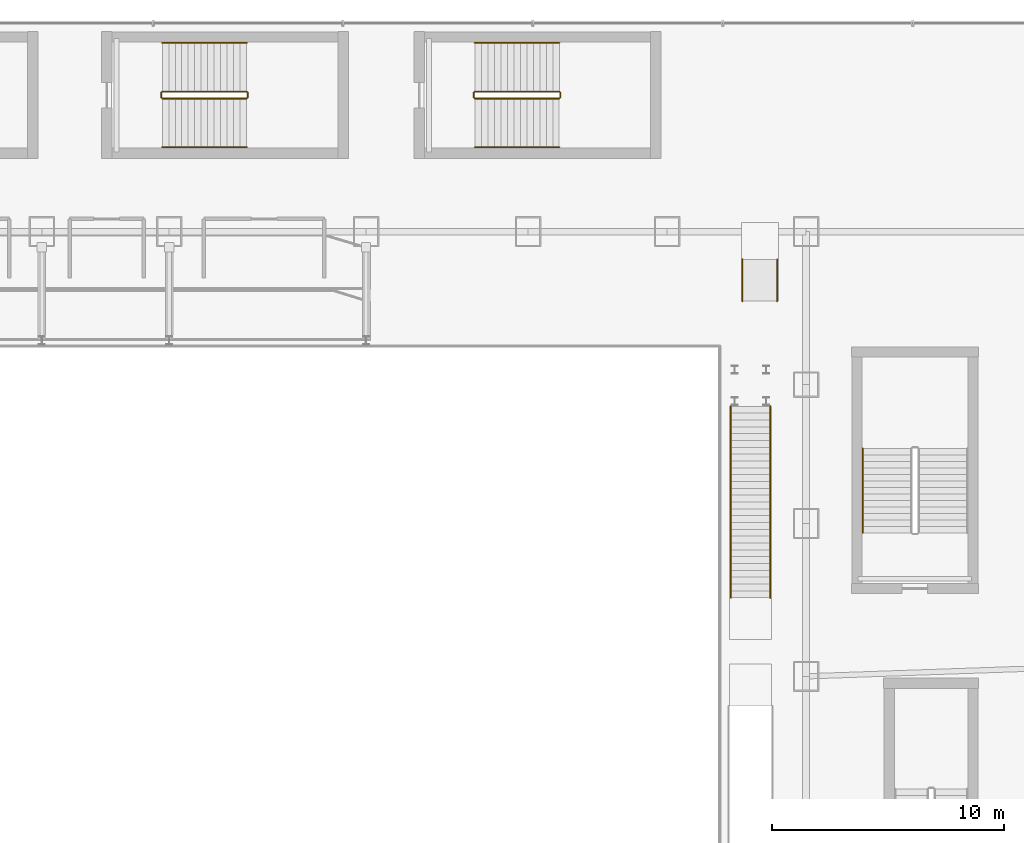
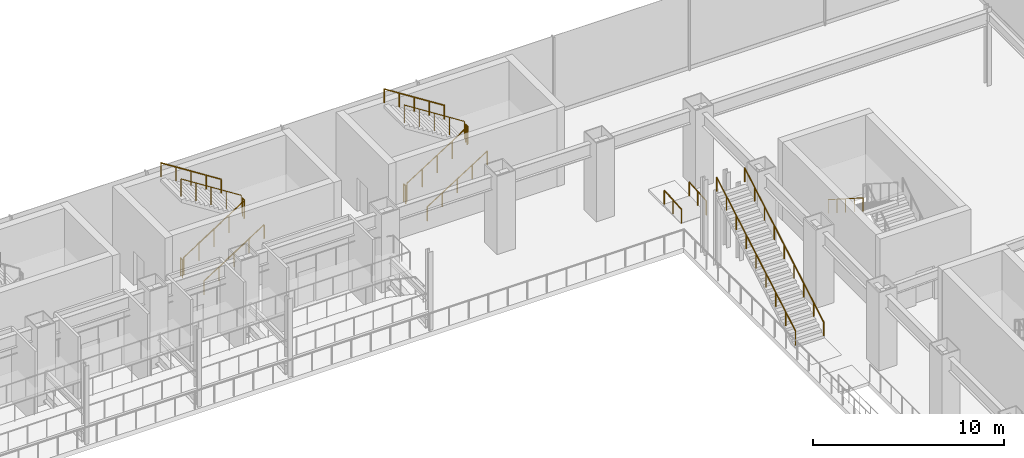
# One storey, part 38 of 40: 17 railings.
"""IFC4 building model written with IfcOpenShell, lengths in metres."""

from ifc_helpers import new_model, si_unit, derived_unit, direction, frame, origin, origin_2d, place, context, subcontext, project, spatial, circle, extrude, material, type_object, element, save


model = new_model("IFC4")

# Units and contexts
model_context = context("Model", 3, precision=1e-05, world=origin(), true_north=direction((0.0, 1.0)))
body_context = subcontext(model_context, "Body", "Model", "MODEL_VIEW")
ifc_project = project(units=[si_unit("LENGTHUNIT", "METRE"), si_unit("AREAUNIT", "SQUARE_METRE"), si_unit("VOLUMEUNIT", "CUBIC_METRE"), si_unit("PLANEANGLEUNIT", "RADIAN"), si_unit("MASSUNIT", "GRAM", prefix="KILO"), derived_unit("THERMALTRANSMITTANCEUNIT", [(si_unit("POWERUNIT", "WATT"), 1), (si_unit("LENGTHUNIT", "METRE"), -2), (si_unit("THERMODYNAMICTEMPERATUREUNIT", "KELVIN"), -1)])], contexts=[model_context])

# Site, building, storey
site_placement = place(None, origin())
site = spatial("IfcSite", under=ifc_project, at=site_placement, CompositionType="ELEMENT")
building_placement = place(site_placement, origin())
building = spatial("IfcBuilding", under=site, at=building_placement, Name="Skarnbrae Concourse Arena and Tower", CompositionType="ELEMENT")
storey_placement = place(building_placement, frame((0.0, 0.0, 6.0)))
storey = spatial("IfcBuildingStorey", under=building, at=storey_placement, Name="L01", CompositionType="ELEMENT", Elevation=6.0)

# Railings
ifc_material = material(Name="Steel CSA G40.21 350W", Category="steel")
railing_type_1 = type_object("IfcRailingType", Name="RAIL-HANDRAIL-900", PredefinedType="HANDRAIL", material=ifc_material)
railing_1_placement = place(storey_placement, frame((63.449951171875, 37.639892578125, 2.678466796875)))
element("IfcRailing", 1, at=railing_1_placement, inside=storey, type_object=railing_type_1, Name="L01 ST-A4 stair handrail 2", PredefinedType="HANDRAIL", context=body_context, shape_type="SweptSolid", body=[
    extrude(circle(Radius=0.02392578125, at=origin_2d()), frame((0.0, 0.0, 0.8759765625), z_axis=(0.0, -0.843111507901, 0.53773877045), x_axis=(1.0, 0.0, 0.0)), (0.0, 0.0, 1.0), 4.317138671875),
    extrude(circle(Radius=0.02099609375, at=origin_2d()), origin(), (0.0, 0.0, 1.0), 0.851806640625),
    extrude(circle(Radius=0.02099609375, at=origin_2d()), frame((0.0, -0.909912109375, 0.580322265625)), (0.0, 0.0, 1.0), 0.851806640625),
    extrude(circle(Radius=0.02099609375, at=origin_2d()), frame((0.0, -1.81982421875, 1.16064453125)), (0.0, 0.0, 1.0), 0.851806640625),
    extrude(circle(Radius=0.02099609375, at=origin_2d()), frame((0.0, -2.72998046875, 1.7412109375)), (0.0, 0.0, 1.0), 0.851806640625),
    extrude(circle(Radius=0.02099609375, at=origin_2d()), frame((0.0, -3.639892578125, 2.321533203125)), (0.0, 0.0, 1.0), 0.851806640625),
])
railing_2_placement = place(storey_placement, frame((33.199951171875, 50.64990234375, 0.178466796875)))
element("IfcRailing", 2, at=railing_2_placement, inside=storey, type_object=railing_type_1, Name="L01 ST-A7 stair handrail 1", PredefinedType="HANDRAIL", context=body_context, shape_type="SweptSolid", body=[
    extrude(circle(Radius=0.02392578125, at=origin_2d()), frame((0.0, 0.0, 0.8759765625), z_axis=(0.843127859045, 0.0, 0.537713132908), x_axis=(0.0, 1.0, 0.0)), (0.0, 0.0, 1.0), 4.3173828125),
    extrude(circle(Radius=0.02099609375, at=origin_2d()), origin(), (0.0, 0.0, 1.0), 0.851806640625),
    extrude(circle(Radius=0.02099609375, at=origin_2d()), frame((0.91015625, 0.0, 0.580322265625)), (0.0, 0.0, 1.0), 0.851806640625),
    extrude(circle(Radius=0.02099609375, at=origin_2d()), frame((1.820068359375, 0.0, 1.16064453125)), (0.0, 0.0, 1.0), 0.851806640625),
    extrude(circle(Radius=0.02099609375, at=origin_2d()), frame((2.72998046875, 0.0, 1.7412109375)), (0.0, 0.0, 1.0), 0.851806640625),
    extrude(circle(Radius=0.02099609375, at=origin_2d()), frame((3.64013671875, 0.0, 2.321533203125)), (0.0, 0.0, 1.0), 0.851806640625),
])
railing_3_placement = place(storey_placement, frame((36.840087890625, 55.14990234375, 2.678466796875)))
element("IfcRailing", 3, at=railing_3_placement, inside=storey, type_object=railing_type_1, Name="L01 ST-A7 stair handrail 2", PredefinedType="HANDRAIL", context=body_context, shape_type="SweptSolid", body=[
    extrude(circle(Radius=0.02392578125, at=origin_2d()), frame((0.0, 0.0, 0.8759765625), z_axis=(-0.843127859045, 0.0, 0.537713132908), x_axis=(0.0, -1.0, 0.0)), (0.0, 0.0, 1.0), 4.3173828125),
    extrude(circle(Radius=0.02099609375, at=origin_2d()), origin(), (0.0, 0.0, 1.0), 0.851806640625),
    extrude(circle(Radius=0.02099609375, at=origin_2d()), frame((-0.91015625, 0.0, 0.580322265625)), (0.0, 0.0, 1.0), 0.851806640625),
    extrude(circle(Radius=0.02099609375, at=origin_2d()), frame((-1.820068359375, 0.0, 1.16064453125)), (0.0, 0.0, 1.0), 0.851806640625),
    extrude(circle(Radius=0.02099609375, at=origin_2d()), frame((-2.72998046875, 0.0, 1.7412109375)), (0.0, 0.0, 1.0), 0.851806640625),
    extrude(circle(Radius=0.02099609375, at=origin_2d()), frame((-3.64013671875, 0.0, 2.321533203125)), (0.0, 0.0, 1.0), 0.851806640625),
])
railing_4_placement = place(storey_placement, frame((46.699951171875, 50.64990234375, 0.178466796875)))
element("IfcRailing", 4, at=railing_4_placement, inside=storey, type_object=railing_type_1, Name="L01 ST-A8 stair handrail 1", PredefinedType="HANDRAIL", context=body_context, shape_type="SweptSolid", body=[
    extrude(circle(Radius=0.02392578125, at=origin_2d()), frame((0.0, 0.0, 0.8759765625), z_axis=(0.843127859045, 0.0, 0.537713132908), x_axis=(0.0, 1.0, 0.0)), (0.0, 0.0, 1.0), 4.3173828125),
    extrude(circle(Radius=0.02099609375, at=origin_2d()), origin(), (0.0, 0.0, 1.0), 0.851806640625),
    extrude(circle(Radius=0.02099609375, at=origin_2d()), frame((0.91015625, 0.0, 0.580322265625)), (0.0, 0.0, 1.0), 0.851806640625),
    extrude(circle(Radius=0.02099609375, at=origin_2d()), frame((1.820068359375, 0.0, 1.16064453125)), (0.0, 0.0, 1.0), 0.851806640625),
    extrude(circle(Radius=0.02099609375, at=origin_2d()), frame((2.72998046875, 0.0, 1.7412109375)), (0.0, 0.0, 1.0), 0.851806640625),
    extrude(circle(Radius=0.02099609375, at=origin_2d()), frame((3.64013671875, 0.0, 2.321533203125)), (0.0, 0.0, 1.0), 0.851806640625),
])
railing_5_placement = place(storey_placement, frame((50.340087890625, 55.14990234375, 2.678466796875)))
element("IfcRailing", 5, at=railing_5_placement, inside=storey, type_object=railing_type_1, Name="L01 ST-A8 stair handrail 2", PredefinedType="HANDRAIL", context=body_context, shape_type="SweptSolid", body=[
    extrude(circle(Radius=0.02392578125, at=origin_2d()), frame((0.0, 0.0, 0.8759765625), z_axis=(-0.843127859045, 0.0, 0.537713132908), x_axis=(0.0, -1.0, 0.0)), (0.0, 0.0, 1.0), 4.3173828125),
    extrude(circle(Radius=0.02099609375, at=origin_2d()), origin(), (0.0, 0.0, 1.0), 0.851806640625),
    extrude(circle(Radius=0.02099609375, at=origin_2d()), frame((-0.91015625, 0.0, 0.580322265625)), (0.0, 0.0, 1.0), 0.851806640625),
    extrude(circle(Radius=0.02099609375, at=origin_2d()), frame((-1.820068359375, 0.0, 1.16064453125)), (0.0, 0.0, 1.0), 0.851806640625),
    extrude(circle(Radius=0.02099609375, at=origin_2d()), frame((-2.72998046875, 0.0, 1.7412109375)), (0.0, 0.0, 1.0), 0.851806640625),
    extrude(circle(Radius=0.02099609375, at=origin_2d()), frame((-3.64013671875, 0.0, 2.321533203125)), (0.0, 0.0, 1.0), 0.851806640625),
])
for number, where, name in (
    (6, (57.75, 31.199951171875, 0.17236328125), "ST-CONC-3 Handrail W L01"),
    (7, (59.449951171875, 31.199951171875, 0.17236328125), "ST-CONC-3 Handrail E L01"),
):
    element("IfcRailing", number, at=place(storey_placement, frame(where)), inside=storey, type_object=railing_type_1, Name=name, PredefinedType="HANDRAIL", context=body_context, shape_type="SweptSolid", body=[
        extrude(circle(Radius=0.02392578125, at=origin_2d()), frame((0.0, 0.0, 0.8759765625), z_axis=(0.0, 0.863355629896, 0.50459593372), x_axis=(-1.0, 0.0, 0.0)), (0.0, 0.0, 1.0), 9.5673828125),
        extrude(circle(Radius=0.02099609375, at=origin_2d()), origin(), (0.0, 0.0, 1.0), 0.851806640625),
        extrude(circle(Radius=0.02099609375, at=origin_2d()), frame((0.0, 1.032470703125, 0.603515625)), (0.0, 0.0, 1.0), 0.851806640625),
        extrude(circle(Radius=0.02099609375, at=origin_2d()), frame((0.0, 2.06494140625, 1.20703125)), (0.0, 0.0, 1.0), 0.851806640625),
        extrude(circle(Radius=0.02099609375, at=origin_2d()), frame((0.0, 3.097412109375, 1.810302734375)), (0.0, 0.0, 1.0), 0.851806640625),
        extrude(circle(Radius=0.02099609375, at=origin_2d()), frame((0.0, 4.1298828125, 2.413818359375)), (0.0, 0.0, 1.0), 0.851806640625),
        extrude(circle(Radius=0.02099609375, at=origin_2d()), frame((0.0, 5.16259765625, 3.017333984375)), (0.0, 0.0, 1.0), 0.851806640625),
        extrude(circle(Radius=0.02099609375, at=origin_2d()), frame((0.0, 6.195068359375, 3.62060546875)), (0.0, 0.0, 1.0), 0.851806640625),
        extrude(circle(Radius=0.02099609375, at=origin_2d()), frame((0.0, 7.2275390625, 4.22412109375)), (0.0, 0.0, 1.0), 0.851806640625),
        extrude(circle(Radius=0.02099609375, at=origin_2d()), frame((0.0, 8.260009765625, 4.82763671875)), (0.0, 0.0, 1.0), 0.851806640625),
    ])
for number, where, name in (
    (8, (58.25, 44.0, 0.02001953125), "L01 Accessible ramp handrail W"),
    (9, (59.75, 44.0, 0.02001953125), "L01 Accessible ramp handrail E"),
):
    element("IfcRailing", number, at=place(storey_placement, frame(where)), inside=storey, type_object=railing_type_1, Name=name, PredefinedType="HANDRAIL", context=body_context, shape_type="SweptSolid", body=[
        extrude(circle(Radius=0.02392578125, at=origin_2d()), frame((0.0, 0.0, 0.8759765625), z_axis=(0.0, 0.997789945721, 0.06644715358), x_axis=(-1.0, 0.0, 0.0)), (0.0, 0.0, 1.0), 1.803955078125),
        extrude(circle(Radius=0.02099609375, at=origin_2d()), origin(), (0.0, 0.0, 1.0), 0.851806640625),
        extrude(circle(Radius=0.02099609375, at=origin_2d()), frame((0.0, 0.89990234375, 0.06005859375)), (0.0, 0.0, 1.0), 0.851806640625),
        extrude(circle(Radius=0.02099609375, at=origin_2d()), frame((0.0, 1.800048828125, 0.119873046875)), (0.0, 0.0, 1.0), 0.851806640625),
    ])
railing_type_2 = type_object("IfcRailingType", Name="RAIL-STAIR-GUARD-1150", PredefinedType="GUARDRAIL", material=ifc_material)
railing_6_placement = place(storey_placement, frame((33.199951171875, 52.75, 0.178466796875)))
element("IfcRailing", 10, at=railing_6_placement, inside=storey, type_object=railing_type_2, Name="L01 ST-A7 stair guard 1", PredefinedType="GUARDRAIL", context=body_context, shape_type="SweptSolid", body=[
    extrude(circle(Radius=0.02392578125, at=origin_2d()), frame((0.0, 0.0, 1.1259765625), z_axis=(0.843127859045, 0.0, 0.537713132908), x_axis=(0.0, 1.0, 0.0)), (0.0, 0.0, 1.0), 4.3173828125),
    extrude(circle(Radius=0.02099609375, at=origin_2d()), origin(), (0.0, 0.0, 1.0), 1.101806640625),
    extrude(circle(Radius=0.02099609375, at=origin_2d()), frame((0.91015625, 0.0, 0.580322265625)), (0.0, 0.0, 1.0), 1.101806640625),
    extrude(circle(Radius=0.02099609375, at=origin_2d()), frame((1.820068359375, 0.0, 1.16064453125)), (0.0, 0.0, 1.0), 1.101806640625),
    extrude(circle(Radius=0.02099609375, at=origin_2d()), frame((2.72998046875, 0.0, 1.7412109375)), (0.0, 0.0, 1.0), 1.101806640625),
    extrude(circle(Radius=0.02099609375, at=origin_2d()), frame((3.64013671875, 0.0, 2.321533203125)), (0.0, 0.0, 1.0), 1.101806640625),
])
railing_7_placement = place(storey_placement, frame((36.889892578125, 52.800048828125, 2.5)))
element("IfcRailing", 11, at=railing_7_placement, inside=storey, type_object=railing_type_2, Name="L01 ST-A7 stair guard 2", PredefinedType="GUARDRAIL", context=body_context, shape_type="SweptSolid", body=[
    extrude(circle(Radius=0.02392578125, at=origin_2d()), frame((0.0, 0.0, 1.1259765625), z_axis=(0.0, 1.0, 0.0), x_axis=(-1.0, 0.0, 0.0)), (0.0, 0.0, 1.0), 0.199951171875),
    extrude(circle(Radius=0.02099609375, at=origin_2d()), origin(), (0.0, 0.0, 1.0), 1.101806640625),
    extrude(circle(Radius=0.02099609375, at=origin_2d()), frame((0.0, 0.199951171875, 0.0)), (0.0, 0.0, 1.0), 1.101806640625),
])
railing_8_placement = place(storey_placement, frame((36.840087890625, 53.050048828125, 2.678466796875)))
element("IfcRailing", 12, at=railing_8_placement, inside=storey, type_object=railing_type_2, Name="L01 ST-A7 stair guard 3", PredefinedType="GUARDRAIL", context=body_context, shape_type="SweptSolid", body=[
    extrude(circle(Radius=0.02392578125, at=origin_2d()), frame((0.0, 0.0, 1.1259765625), z_axis=(-0.843127859045, 0.0, 0.537713132908), x_axis=(0.0, -1.0, 0.0)), (0.0, 0.0, 1.0), 4.3173828125),
    extrude(circle(Radius=0.02099609375, at=origin_2d()), origin(), (0.0, 0.0, 1.0), 1.101806640625),
    extrude(circle(Radius=0.02099609375, at=origin_2d()), frame((-0.91015625, 0.0, 0.580322265625)), (0.0, 0.0, 1.0), 1.101806640625),
    extrude(circle(Radius=0.02099609375, at=origin_2d()), frame((-1.820068359375, 0.0, 1.16064453125)), (0.0, 0.0, 1.0), 1.101806640625),
    extrude(circle(Radius=0.02099609375, at=origin_2d()), frame((-2.72998046875, 0.0, 1.7412109375)), (0.0, 0.0, 1.0), 1.101806640625),
    extrude(circle(Radius=0.02099609375, at=origin_2d()), frame((-3.64013671875, 0.0, 2.321533203125)), (0.0, 0.0, 1.0), 1.101806640625),
])
railing_9_placement = place(storey_placement, frame((33.14990234375, 52.800048828125, 0.0)))
element("IfcRailing", 13, at=railing_9_placement, inside=storey, type_object=railing_type_2, Name="L01 ST-A7 stair guard 4", PredefinedType="GUARDRAIL", context=body_context, shape_type="SweptSolid", body=[
    extrude(circle(Radius=0.02392578125, at=origin_2d()), frame((0.0, 0.0, 1.1259765625), z_axis=(0.0, 1.0, 0.0), x_axis=(-1.0, 0.0, 0.0)), (0.0, 0.0, 1.0), 0.199951171875),
    extrude(circle(Radius=0.02099609375, at=origin_2d()), origin(), (0.0, 0.0, 1.0), 1.101806640625),
    extrude(circle(Radius=0.02099609375, at=origin_2d()), frame((0.0, 0.199951171875, 0.0)), (0.0, 0.0, 1.0), 1.101806640625),
])
railing_10_placement = place(storey_placement, frame((46.699951171875, 52.75, 0.178466796875)))
element("IfcRailing", 14, at=railing_10_placement, inside=storey, type_object=railing_type_2, Name="L01 ST-A8 stair guard 1", PredefinedType="GUARDRAIL", context=body_context, shape_type="SweptSolid", body=[
    extrude(circle(Radius=0.02392578125, at=origin_2d()), frame((0.0, 0.0, 1.1259765625), z_axis=(0.843127859045, 0.0, 0.537713132908), x_axis=(0.0, 1.0, 0.0)), (0.0, 0.0, 1.0), 4.3173828125),
    extrude(circle(Radius=0.02099609375, at=origin_2d()), origin(), (0.0, 0.0, 1.0), 1.101806640625),
    extrude(circle(Radius=0.02099609375, at=origin_2d()), frame((0.91015625, 0.0, 0.580322265625)), (0.0, 0.0, 1.0), 1.101806640625),
    extrude(circle(Radius=0.02099609375, at=origin_2d()), frame((1.820068359375, 0.0, 1.16064453125)), (0.0, 0.0, 1.0), 1.101806640625),
    extrude(circle(Radius=0.02099609375, at=origin_2d()), frame((2.72998046875, 0.0, 1.7412109375)), (0.0, 0.0, 1.0), 1.101806640625),
    extrude(circle(Radius=0.02099609375, at=origin_2d()), frame((3.64013671875, 0.0, 2.321533203125)), (0.0, 0.0, 1.0), 1.101806640625),
])
railing_11_placement = place(storey_placement, frame((50.389892578125, 52.800048828125, 2.5)))
element("IfcRailing", 15, at=railing_11_placement, inside=storey, type_object=railing_type_2, Name="L01 ST-A8 stair guard 2", PredefinedType="GUARDRAIL", context=body_context, shape_type="SweptSolid", body=[
    extrude(circle(Radius=0.02392578125, at=origin_2d()), frame((0.0, 0.0, 1.1259765625), z_axis=(0.0, 1.0, 0.0), x_axis=(-1.0, 0.0, 0.0)), (0.0, 0.0, 1.0), 0.199951171875),
    extrude(circle(Radius=0.02099609375, at=origin_2d()), origin(), (0.0, 0.0, 1.0), 1.101806640625),
    extrude(circle(Radius=0.02099609375, at=origin_2d()), frame((0.0, 0.199951171875, 0.0)), (0.0, 0.0, 1.0), 1.101806640625),
])
railing_12_placement = place(storey_placement, frame((50.340087890625, 53.050048828125, 2.678466796875)))
element("IfcRailing", 16, at=railing_12_placement, inside=storey, type_object=railing_type_2, Name="L01 ST-A8 stair guard 3", PredefinedType="GUARDRAIL", context=body_context, shape_type="SweptSolid", body=[
    extrude(circle(Radius=0.02392578125, at=origin_2d()), frame((0.0, 0.0, 1.1259765625), z_axis=(-0.843127859045, 0.0, 0.537713132908), x_axis=(0.0, -1.0, 0.0)), (0.0, 0.0, 1.0), 4.3173828125),
    extrude(circle(Radius=0.02099609375, at=origin_2d()), origin(), (0.0, 0.0, 1.0), 1.101806640625),
    extrude(circle(Radius=0.02099609375, at=origin_2d()), frame((-0.91015625, 0.0, 0.580322265625)), (0.0, 0.0, 1.0), 1.101806640625),
    extrude(circle(Radius=0.02099609375, at=origin_2d()), frame((-1.820068359375, 0.0, 1.16064453125)), (0.0, 0.0, 1.0), 1.101806640625),
    extrude(circle(Radius=0.02099609375, at=origin_2d()), frame((-2.72998046875, 0.0, 1.7412109375)), (0.0, 0.0, 1.0), 1.101806640625),
    extrude(circle(Radius=0.02099609375, at=origin_2d()), frame((-3.64013671875, 0.0, 2.321533203125)), (0.0, 0.0, 1.0), 1.101806640625),
])
railing_13_placement = place(storey_placement, frame((46.64990234375, 52.800048828125, 0.0)))
element("IfcRailing", 17, at=railing_13_placement, inside=storey, type_object=railing_type_2, Name="L01 ST-A8 stair guard 4", PredefinedType="GUARDRAIL", context=body_context, shape_type="SweptSolid", body=[
    extrude(circle(Radius=0.02392578125, at=origin_2d()), frame((0.0, 0.0, 1.1259765625), z_axis=(0.0, 1.0, 0.0), x_axis=(-1.0, 0.0, 0.0)), (0.0, 0.0, 1.0), 0.199951171875),
    extrude(circle(Radius=0.02099609375, at=origin_2d()), origin(), (0.0, 0.0, 1.0), 1.101806640625),
    extrude(circle(Radius=0.02099609375, at=origin_2d()), frame((0.0, 0.199951171875, 0.0)), (0.0, 0.0, 1.0), 1.101806640625),
])

save(model, "model.ifc")
